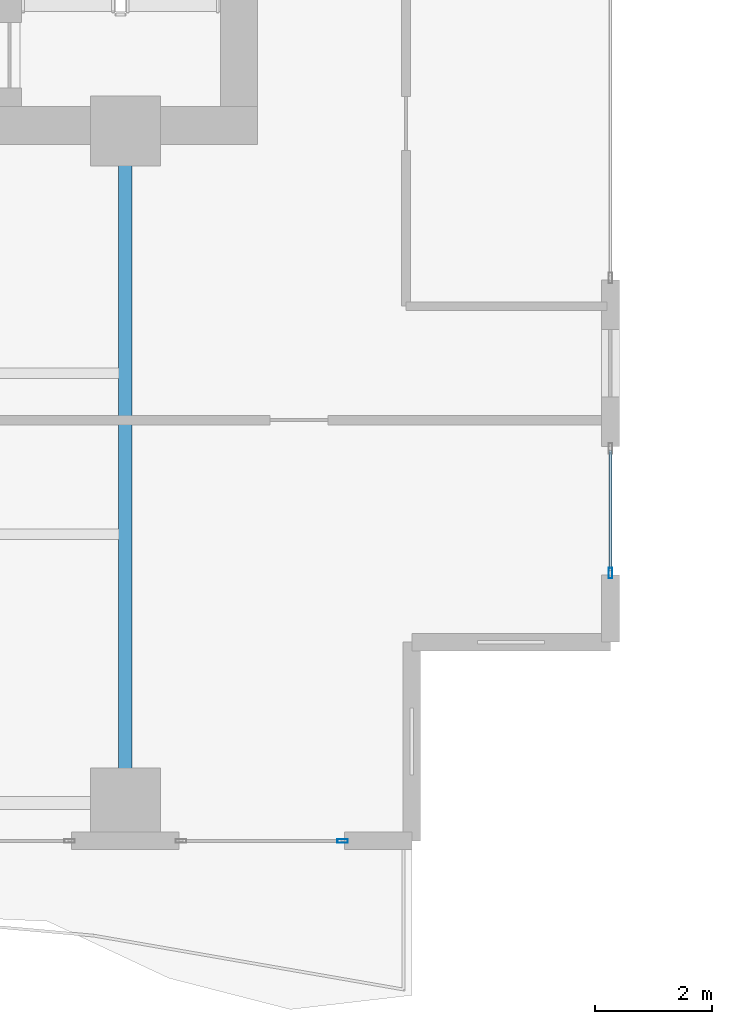
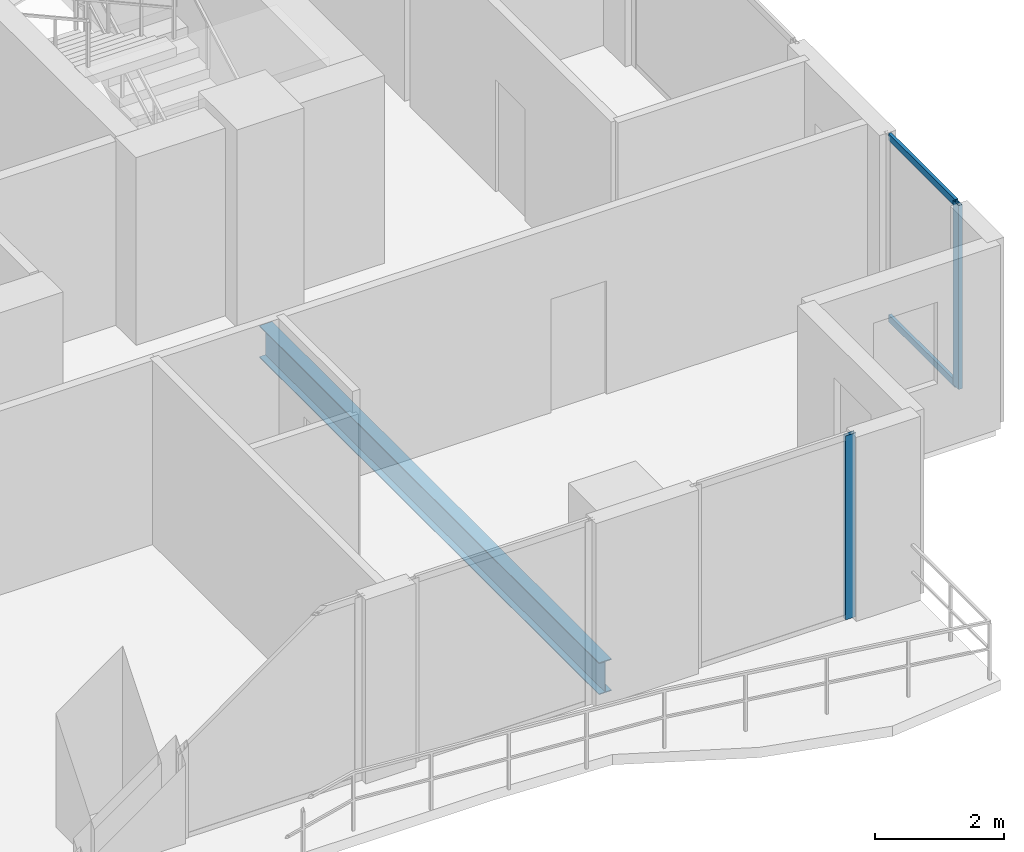
# One storey, part 10 of 33: 4 members, 1 beam, 2 elements without a shape of their own.
"""IFC4 building model written with IfcOpenShell, lengths in metres."""

from ifc_helpers import new_model, si_unit, direction, frame, origin, origin_2d, place, context, subcontext, project, spatial, hollow_rectangle, i_section, extrude, material, layer, layer_set, material_profile, profile_set, type_object, element, aggregate, save


model = new_model("IFC4")

# Units and contexts
model_context = context("Model", 3, precision=1e-05, world=origin(), true_north=direction((0.0, 1.0)))
body_context = subcontext(model_context, "Body", "Model", "MODEL_VIEW")
ifc_project = project(units=[si_unit("LENGTHUNIT", "METRE"), si_unit("AREAUNIT", "SQUARE_METRE"), si_unit("VOLUMEUNIT", "CUBIC_METRE"), si_unit("PLANEANGLEUNIT", "RADIAN"), si_unit("MASSUNIT", "GRAM", prefix="KILO")], contexts=[model_context])

# Site, building, storey
site_placement = place(None, origin())
site = spatial("IfcSite", under=ifc_project, at=site_placement, CompositionType="ELEMENT")
building_placement = place(site_placement, origin())
building = spatial("IfcBuilding", under=site, at=building_placement, Name="Zuhayl Quay Hotel", CompositionType="ELEMENT")
storey_placement = place(building_placement, frame((0.0, 0.0, 229.89990234375)))
storey = spatial("IfcBuildingStorey", under=building, at=storey_placement, Name="L58", CompositionType="ELEMENT", Elevation=229.89990234375)

# Beam
ifc_material_1 = material(Name="Steel ASTM A992 Grade 50", Category="steel")
ifc_material_profile_1 = material_profile(ifc_material_1, i_section(OverallWidth=0.22802734375, OverallDepth=0.60693359375, WebThickness=0.01123046875, FlangeThickness=0.017333984375, at=origin_2d()), Name="W24X76")
ifc_profile_set_1 = profile_set([ifc_material_profile_1], Name="Steel ASTM A992 Grade 50")
beam_type = type_object("IfcBeamType", Name="BM_B3_W24X76", PredefinedType="BEAM", material=ifc_profile_set_1)
beam_placement = place(storey_placement, frame((13.800048828125, -6.449951171875, -0.5234375), z_axis=(0.0, 1.0, 0.0), x_axis=(-1.0, 0.0, 0.0)))
element("IfcBeam", 1, at=beam_placement, inside=storey, type_object=beam_type, Name="L58 Floor Beam FG_S_L58_4", PredefinedType="BEAM", context=body_context, shape_type="SweptSolid", body=[
    extrude(i_section(OverallWidth=0.22802734375, OverallDepth=0.60693359375, WebThickness=0.01123046875, FlangeThickness=0.017333984375, at=origin_2d()), origin(), (0.0, 0.0, 1.0), 10.550048828125),
])

# Curtain wall, member
ifc_material_2 = material(Name="Anodised Aluminium 6063-T6", Category="aluminium")
ifc_layer = layer(ifc_material_2, 0.175048828125, Name="Anodised Aluminium 6063-T6", Category="aluminium")
ifc_layer_set = layer_set([ifc_layer], Name="Anodised Aluminium 6063-T6")
curtain_wall_type = type_object("IfcCurtainWallType", Name="CW_SYS_Z3", PredefinedType="USERDEFINED", material=ifc_layer_set)
curtain_wall_1_placement = place(storey_placement, origin())
curtain_wall_1 = element("IfcCurtainWall", 2, at=curtain_wall_1_placement, inside=storey, type_object=curtain_wall_type, Name="L58 Curtain Wall ENV_L58_E14_CW2", ObjectType="UNITISED CURTAIN WALL", PredefinedType="USERDEFINED")
ifc_material_3 = material(Name="Black-anodised aluminium 6063-T6", Category="aluminium")
ifc_material_profile_2 = material_profile(ifc_material_3, hollow_rectangle(XDim=0.06494140625, YDim=0.179931640625, WallThickness=0.00341796875, at=origin_2d()), Name="ALU180X65")
ifc_profile_set_2 = profile_set([ifc_material_profile_2], Name="Black-anodised aluminium 6063-T6")
member_type_1 = type_object("IfcMemberType", Name="MB_CW_MUL_180", PredefinedType="MULLION", material=ifc_profile_set_2)
member_1_placement = place(storey_placement, frame((22.10009765625, -3.017578125, 0.0), z_axis=(0.0, 0.0, 1.0), x_axis=(1.0, 0.0, 0.0)))
member_1 = element("IfcMember", 3, at=member_1_placement, type_object=member_type_1, Name="CW-Z3 mullion 2", PredefinedType="MULLION", context=body_context, shape_type="SweptSolid", body=[
    extrude(hollow_rectangle(XDim=0.06494140625, YDim=0.179931640625, WallThickness=0.00341796875, at=origin_2d()), origin(), (0.0, 0.0, 1.0), 3.489990234375),
])

curtain_wall_2_placement = place(storey_placement, origin())
curtain_wall_2 = element("IfcCurtainWall", 4, at=curtain_wall_2_placement, inside=storey, type_object=curtain_wall_type, Name="L58 Curtain Wall ENV_L58_S_CW1", ObjectType="UNITISED CURTAIN WALL", PredefinedType="USERDEFINED")
member_2_placement = place(storey_placement, frame((17.517578125, -7.60009765625, 0.0), z_axis=(0.0, 0.0, 1.0), x_axis=(0.0, -1.0, 0.0)))
member_2 = element("IfcMember", 5, at=member_2_placement, type_object=member_type_1, Name="CW-Z3 mullion 1", PredefinedType="MULLION", context=body_context, shape_type="SweptSolid", body=[
    extrude(hollow_rectangle(XDim=0.06494140625, YDim=0.179931640625, WallThickness=0.00341796875, at=origin_2d()), origin(), (0.0, 0.0, 1.0), 3.489990234375),
])
aggregate(curtain_wall_2, [member_2])

# Member
ifc_material_profile_3 = material_profile(ifc_material_3, hollow_rectangle(XDim=0.054931640625, YDim=0.1298828125, WallThickness=0.0029296875, at=origin_2d()), Name="ALU130X55")
ifc_profile_set_3 = profile_set([ifc_material_profile_3], Name="Black-anodised aluminium 6063-T6")
member_type_2 = type_object("IfcMemberType", Name="MB_CW_TRN_130", PredefinedType="USERDEFINED", material=ifc_profile_set_3)
member_3_placement = place(storey_placement, frame((22.10009765625, -0.9150390625, 0.027587890625), z_axis=(0.0, -1.0, 0.0), x_axis=(1.0, 0.0, 0.0)))
member_3 = element("IfcMember", 6, at=member_3_placement, type_object=member_type_2, Name="CW-Z3 transom 1.1", ObjectType="TRANSOM", PredefinedType="USERDEFINED", context=body_context, shape_type="SweptSolid", body=[
    extrude(hollow_rectangle(XDim=0.054931640625, YDim=0.1298828125, WallThickness=0.0029296875, at=origin_2d()), origin(), (0.0, 0.0, 1.0), 2.070068359375),
])

member_4_placement = place(storey_placement, frame((22.10009765625, -0.9150390625, 3.462646484375), z_axis=(0.0, -1.0, 0.0), x_axis=(1.0, 0.0, 0.0)))
member_4 = element("IfcMember", 7, at=member_4_placement, type_object=member_type_2, Name="CW-Z3 transom 1.2", ObjectType="TRANSOM", PredefinedType="USERDEFINED", context=body_context, shape_type="SweptSolid", body=[
    extrude(hollow_rectangle(XDim=0.054931640625, YDim=0.1298828125, WallThickness=0.0029296875, at=origin_2d()), origin(), (0.0, 0.0, 1.0), 2.070068359375),
])

aggregate(curtain_wall_1, [member_1, member_3, member_4])

save(model, "model.ifc")
